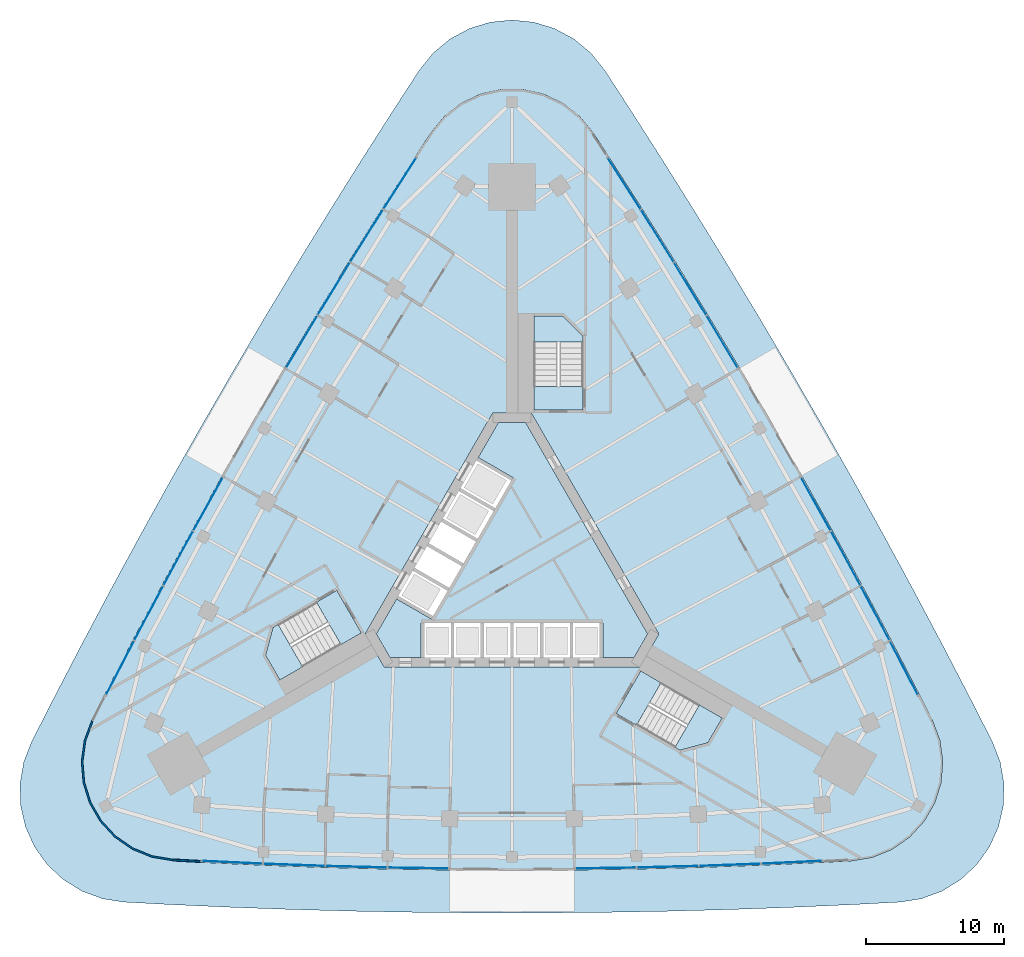
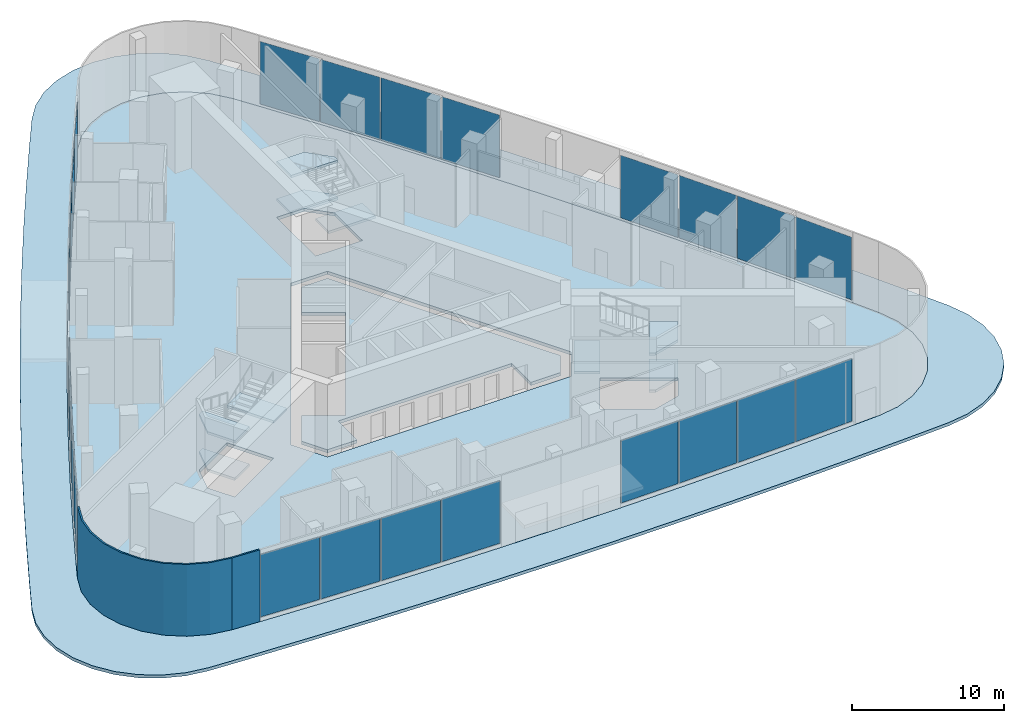
# One storey, part 5 of 14: 24 plates, 12 slabs, 2 walls, 9 elements without a shape of their own.
"""IFC4 building model written with IfcOpenShell, lengths in metres."""

from ifc_helpers import new_model, si_unit, direction, frame, frame_2d, origin, origin_2d, place, context, subcontext, project, spatial, polyline, rectangle, outline, extrude, material, layer, layer_set, type_object, element, aggregate, save


model = new_model("IFC4")

# Units and contexts
model_context = context("Model", 3, precision=1e-05, world=origin(), true_north=direction((0.0, 1.0)))
body_context = subcontext(model_context, "Body", "Model", "MODEL_VIEW")
ifc_project = project(units=[si_unit("LENGTHUNIT", "METRE"), si_unit("AREAUNIT", "SQUARE_METRE"), si_unit("VOLUMEUNIT", "CUBIC_METRE"), si_unit("PLANEANGLEUNIT", "RADIAN"), si_unit("MASSUNIT", "GRAM", prefix="KILO")], contexts=[model_context])

# Site, building, storey
site_placement = place(None, origin())
site = spatial("IfcSite", under=ifc_project, at=site_placement, CompositionType="ELEMENT")
building_placement = place(site_placement, origin())
building = spatial("IfcBuilding", under=site, at=building_placement, Name="Noor Cloister Tower", CompositionType="ELEMENT")
storey_placement = place(building_placement, origin())
storey = spatial("IfcBuildingStorey", under=building, at=storey_placement, Name="L00", CompositionType="ELEMENT", Elevation=0.0)

# Slab
ifc_material_1 = material(Name="Concrete C40/50", Category="concrete")
ifc_layer_1 = layer(ifc_material_1, 0.25)
ifc_layer_set_1 = layer_set([ifc_layer_1], Name="Core floor slab 250 C40/50")
slab_type_1 = type_object("IfcSlabType", Name="Core floor slab 250 C40/50", PredefinedType="FLOOR", material=ifc_layer_set_1)
slab_1_placement = place(storey_placement, frame((0.0, 0.0, -0.25)))
element("IfcSlab", 1, at=slab_1_placement, inside=storey, type_object=slab_type_1, Name="Core floor L00", PredefinedType="FLOOR", context=body_context, shape_type="SweptSolid", body=[
    extrude(outline(polyline([(-6.574951171875, -6.228271484375), (-6.574951171875, -3.728271484375), (6.574951171875, -3.728271484375), (6.574951171875, -6.228271484375), (8.82470703125, -6.228271484375), (9.80615234375, -4.5283203125), (0.9814453125, 10.75634765625), (-0.9814453125, 10.75634765625), (-2.44384765625, 8.2236328125), (0.067626953125, 6.773681640625), (-5.832275390625, -3.4453125), (-8.34375, -1.995361328125), (-9.80615234375, -4.5283203125), (-8.82470703125, -6.228271484375), (-6.574951171875, -6.228271484375)])), origin(), (0.0, 0.0, 1.0), 0.25),
])

# Curtain wall, plates
ifc_material_2 = material(Name="Aluminium 6063-T6 anodised", Category="aluminium")
curtain_wall_type = type_object("IfcCurtainWallType", Name="Station shopfront CW4", PredefinedType="NOTDEFINED", material=ifc_material_2)
curtain_wall_1_placement = place(storey_placement, origin())
curtain_wall_1 = element("IfcCurtainWall", 2, at=curtain_wall_1_placement, inside=storey, type_object=curtain_wall_type, Name="CW4 L00 NW shopfront 1", PredefinedType="NOTDEFINED")
ifc_material_3 = material(Name="Clear laminated glass 2 x 8 mm", Category="glass")
ifc_layer_2 = layer(ifc_material_3, 0.028076171875)
ifc_layer_set_2 = layer_set([ifc_layer_2], Name="Glass panel CW4")
plate_type = type_object("IfcPlateType", Name="Glass panel CW4", PredefinedType="CURTAIN_PANEL", material=ifc_layer_set_2)
plate_1_placement = place(storey_placement, frame((-8.110107421875, 28.022705078125, 0.2900390625), z_axis=(0.0, 0.0, 1.0), x_axis=(-0.539472546245, -0.842003189927, 0.0)))
plate_1 = element("IfcPlate", 3, at=plate_1_placement, type_object=plate_type, Name="CW4 glass panel 1", PredefinedType="CURTAIN_PANEL", context=body_context, shape_type="SweptSolid", body=[
    extrude(rectangle(XDim=4.369384765625, YDim=0.028076171875, at=origin_2d()), origin(), (0.0, 0.0, 1.0), 5.02001953125),
])
plate_2_placement = place(storey_placement, frame((-10.50439453125, 24.242919921875, 0.2900390625), z_axis=(0.0, 0.0, 1.0), x_axis=(-0.530797477241, -0.847498695076, 0.0)))
plate_2 = element("IfcPlate", 4, at=plate_2_placement, type_object=plate_type, Name="CW4 glass panel 2", PredefinedType="CURTAIN_PANEL", context=body_context, shape_type="SweptSolid", body=[
    extrude(rectangle(XDim=4.4189453125, YDim=0.028076171875, at=origin_2d()), origin(), (0.0, 0.0, 1.0), 5.02001953125),
])
plate_3_placement = place(storey_placement, frame((-12.872802734375, 20.41796875, 0.2900390625), z_axis=(0.0, 0.0, 1.0), x_axis=(-0.522066431715, -0.852904825216, 0.0)))
plate_3 = element("IfcPlate", 5, at=plate_3_placement, type_object=plate_type, Name="CW4 glass panel 3", PredefinedType="CURTAIN_PANEL", context=body_context, shape_type="SweptSolid", body=[
    extrude(rectangle(XDim=4.4189453125, YDim=0.028076171875, at=origin_2d()), origin(), (0.0, 0.0, 1.0), 5.02001953125),
])
plate_4_placement = place(storey_placement, frame((-15.18896484375, 16.590087890625, 0.2900390625), z_axis=(0.0, 0.0, 1.0), x_axis=(-0.5132803454, -0.858221001273, 0.0)))
plate_4 = element("IfcPlate", 6, at=plate_4_placement, type_object=plate_type, Name="CW4 glass panel 4", PredefinedType="CURTAIN_PANEL", context=body_context, shape_type="SweptSolid", body=[
    extrude(rectangle(XDim=4.369384765625, YDim=0.028076171875, at=origin_2d()), origin(), (0.0, 0.0, 1.0), 5.02001953125),
])
aggregate(curtain_wall_1, [plate_1, plate_2, plate_3, plate_4])

curtain_wall_2_placement = place(storey_placement, origin())
curtain_wall_2 = element("IfcCurtainWall", 7, at=curtain_wall_2_placement, inside=storey, type_object=curtain_wall_type, Name="CW4 L00 NW shopfront 2", PredefinedType="NOTDEFINED")
plate_5_placement = place(storey_placement, frame((-21.9619140625, 4.859130859375, 0.2900390625), z_axis=(0.0, 0.0, 1.0), x_axis=(-0.486601016464, -0.873624319016, 0.0)))
plate_5 = element("IfcPlate", 8, at=plate_5_placement, type_object=plate_type, Name="CW4 glass panel 1", PredefinedType="CURTAIN_PANEL", context=body_context, shape_type="SweptSolid", body=[
    extrude(rectangle(XDim=4.369384765625, YDim=0.028076171875, at=origin_2d()), origin(), (0.0, 0.0, 1.0), 5.02001953125),
])
plate_6_placement = place(storey_placement, frame((-24.118896484375, 0.939208984375, 0.2900390625), z_axis=(0.0, 0.0, 1.0), x_axis=(-0.47760402979, -0.878575204936, 0.0)))
plate_6 = element("IfcPlate", 9, at=plate_6_placement, type_object=plate_type, Name="CW4 glass panel 2", PredefinedType="CURTAIN_PANEL", context=body_context, shape_type="SweptSolid", body=[
    extrude(rectangle(XDim=4.4189453125, YDim=0.028076171875, at=origin_2d()), origin(), (0.0, 0.0, 1.0), 5.02001953125),
])
plate_7_placement = place(storey_placement, frame((-26.247314453125, -3.0244140625, 0.2900390625), z_axis=(0.0, 0.0, 1.0), x_axis=(-0.468556660989, -0.883433447093, 0.0)))
plate_7 = element("IfcPlate", 10, at=plate_7_placement, type_object=plate_type, Name="CW4 glass panel 3", PredefinedType="CURTAIN_PANEL", context=body_context, shape_type="SweptSolid", body=[
    extrude(rectangle(XDim=4.4189453125, YDim=0.028076171875, at=origin_2d()), origin(), (0.0, 0.0, 1.0), 5.02001953125),
])
plate_8_placement = place(storey_placement, frame((-28.323486328125, -6.98779296875, 0.2900390625), z_axis=(0.0, 0.0, 1.0), x_axis=(-0.459459879422, -0.888198524656, 0.0)))
plate_8 = element("IfcPlate", 11, at=plate_8_placement, type_object=plate_type, Name="CW4 glass panel 4", PredefinedType="CURTAIN_PANEL", context=body_context, shape_type="SweptSolid", body=[
    extrude(rectangle(XDim=4.369384765625, YDim=0.028076171875, at=origin_2d()), origin(), (0.0, 0.0, 1.0), 5.02001953125),
])
aggregate(curtain_wall_2, [plate_5, plate_6, plate_7, plate_8])

curtain_wall_3_placement = place(storey_placement, origin())
curtain_wall_3 = element("IfcCurtainWall", 12, at=curtain_wall_3_placement, inside=storey, type_object=curtain_wall_type, Name="CW4 L00 S shopfront 5", PredefinedType="NOTDEFINED")
plate_9_placement = place(storey_placement, frame((-20.213134765625, -21.034912109375, 0.2900390625), z_axis=(0.0, 0.0, 1.0), x_axis=(0.998932425667, -0.046195334729, 0.0)))
plate_9 = element("IfcPlate", 13, at=plate_9_placement, type_object=plate_type, Name="CW4 glass panel 1", PredefinedType="CURTAIN_PANEL", context=body_context, shape_type="SweptSolid", body=[
    extrude(rectangle(XDim=4.369384765625, YDim=0.028076171875, at=origin_2d()), origin(), (0.0, 0.0, 1.0), 5.02001953125),
])
plate_10_placement = place(storey_placement, frame((-15.742919921875, -21.218505859375, 0.2900390625), z_axis=(0.0, 0.0, 1.0), x_axis=(0.99935413823, -0.035934752017, 0.0)))
plate_10 = element("IfcPlate", 14, at=plate_10_placement, type_object=plate_type, Name="CW4 glass panel 2", PredefinedType="CURTAIN_PANEL", context=body_context, shape_type="SweptSolid", body=[
    extrude(rectangle(XDim=4.4189453125, YDim=0.028076171875, at=origin_2d()), origin(), (0.0, 0.0, 1.0), 5.02001953125),
])
plate_11_placement = place(storey_placement, frame((-11.24609375, -21.357177734375, 0.2900390625), z_axis=(0.0, 0.0, 1.0), x_axis=(0.999670461505, -0.02567037972, 0.0)))
plate_11 = element("IfcPlate", 15, at=plate_11_placement, type_object=plate_type, Name="CW4 glass panel 3", PredefinedType="CURTAIN_PANEL", context=body_context, shape_type="SweptSolid", body=[
    extrude(rectangle(XDim=4.4189453125, YDim=0.028076171875, at=origin_2d()), origin(), (0.0, 0.0, 1.0), 5.02001953125),
])
plate_12_placement = place(storey_placement, frame((-6.77294921875, -21.44921875, 0.2900390625), z_axis=(0.0, 0.0, 1.0), x_axis=(0.999881361864, -0.015403317743, 0.0)))
plate_12 = element("IfcPlate", 16, at=plate_12_placement, type_object=plate_type, Name="CW4 glass panel 4", PredefinedType="CURTAIN_PANEL", context=body_context, shape_type="SweptSolid", body=[
    extrude(rectangle(XDim=4.369384765625, YDim=0.028076171875, at=origin_2d()), origin(), (0.0, 0.0, 1.0), 5.02001953125),
])
aggregate(curtain_wall_3, [plate_9, plate_10, plate_11, plate_12])

curtain_wall_4_placement = place(storey_placement, origin())
curtain_wall_4 = element("IfcCurtainWall", 17, at=curtain_wall_4_placement, inside=storey, type_object=curtain_wall_type, Name="CW4 L00 S shopfront 6", PredefinedType="NOTDEFINED")
plate_13_placement = place(storey_placement, frame((6.77294921875, -21.44921875, 0.2900390625), z_axis=(0.0, 0.0, 1.0), x_axis=(0.999881361864, 0.015403317743, 0.0)))
plate_13 = element("IfcPlate", 18, at=plate_13_placement, type_object=plate_type, Name="CW4 glass panel 1", PredefinedType="CURTAIN_PANEL", context=body_context, shape_type="SweptSolid", body=[
    extrude(rectangle(XDim=4.369384765625, YDim=0.028076171875, at=origin_2d()), origin(), (0.0, 0.0, 1.0), 5.02001953125),
])
plate_14_placement = place(storey_placement, frame((11.24609375, -21.357177734375, 0.2900390625), z_axis=(0.0, 0.0, 1.0), x_axis=(0.999670461505, 0.02567037972, 0.0)))
plate_14 = element("IfcPlate", 19, at=plate_14_placement, type_object=plate_type, Name="CW4 glass panel 2", PredefinedType="CURTAIN_PANEL", context=body_context, shape_type="SweptSolid", body=[
    extrude(rectangle(XDim=4.4189453125, YDim=0.028076171875, at=origin_2d()), origin(), (0.0, 0.0, 1.0), 5.02001953125),
])
plate_15_placement = place(storey_placement, frame((15.742919921875, -21.218505859375, 0.2900390625), z_axis=(0.0, 0.0, 1.0), x_axis=(0.99935413823, 0.035934752017, 0.0)))
plate_15 = element("IfcPlate", 20, at=plate_15_placement, type_object=plate_type, Name="CW4 glass panel 3", PredefinedType="CURTAIN_PANEL", context=body_context, shape_type="SweptSolid", body=[
    extrude(rectangle(XDim=4.4189453125, YDim=0.028076171875, at=origin_2d()), origin(), (0.0, 0.0, 1.0), 5.02001953125),
])
plate_16_placement = place(storey_placement, frame((20.213134765625, -21.034912109375, 0.2900390625), z_axis=(0.0, 0.0, 1.0), x_axis=(0.998932425667, 0.046195334729, 0.0)))
plate_16 = element("IfcPlate", 21, at=plate_16_placement, type_object=plate_type, Name="CW4 glass panel 4", PredefinedType="CURTAIN_PANEL", context=body_context, shape_type="SweptSolid", body=[
    extrude(rectangle(XDim=4.369384765625, YDim=0.028076171875, at=origin_2d()), origin(), (0.0, 0.0, 1.0), 5.02001953125),
])
aggregate(curtain_wall_4, [plate_13, plate_14, plate_15, plate_16])

curtain_wall_5_placement = place(storey_placement, origin())
curtain_wall_5 = element("IfcCurtainWall", 22, at=curtain_wall_5_placement, inside=storey, type_object=curtain_wall_type, Name="CW4 L00 NE shopfront 9", PredefinedType="NOTDEFINED")
plate_17_placement = place(storey_placement, frame((28.323486328125, -6.98779296875, 0.2900390625), z_axis=(0.0, 0.0, 1.0), x_axis=(-0.459459879422, 0.888198524656, 0.0)))
plate_17 = element("IfcPlate", 23, at=plate_17_placement, type_object=plate_type, Name="CW4 glass panel 1", PredefinedType="CURTAIN_PANEL", context=body_context, shape_type="SweptSolid", body=[
    extrude(rectangle(XDim=4.369384765625, YDim=0.028076171875, at=origin_2d()), origin(), (0.0, 0.0, 1.0), 5.02001953125),
])
plate_18_placement = place(storey_placement, frame((26.247314453125, -3.0244140625, 0.2900390625), z_axis=(0.0, 0.0, 1.0), x_axis=(-0.468556660989, 0.883433447093, 0.0)))
plate_18 = element("IfcPlate", 24, at=plate_18_placement, type_object=plate_type, Name="CW4 glass panel 2", PredefinedType="CURTAIN_PANEL", context=body_context, shape_type="SweptSolid", body=[
    extrude(rectangle(XDim=4.4189453125, YDim=0.028076171875, at=origin_2d()), origin(), (0.0, 0.0, 1.0), 5.02001953125),
])
plate_19_placement = place(storey_placement, frame((24.118896484375, 0.939208984375, 0.2900390625), z_axis=(0.0, 0.0, 1.0), x_axis=(-0.47760402979, 0.878575204936, 0.0)))
plate_19 = element("IfcPlate", 25, at=plate_19_placement, type_object=plate_type, Name="CW4 glass panel 3", PredefinedType="CURTAIN_PANEL", context=body_context, shape_type="SweptSolid", body=[
    extrude(rectangle(XDim=4.4189453125, YDim=0.028076171875, at=origin_2d()), origin(), (0.0, 0.0, 1.0), 5.02001953125),
])
plate_20_placement = place(storey_placement, frame((21.9619140625, 4.859130859375, 0.2900390625), z_axis=(0.0, 0.0, 1.0), x_axis=(-0.486601016464, 0.873624319016, 0.0)))
plate_20 = element("IfcPlate", 26, at=plate_20_placement, type_object=plate_type, Name="CW4 glass panel 4", PredefinedType="CURTAIN_PANEL", context=body_context, shape_type="SweptSolid", body=[
    extrude(rectangle(XDim=4.369384765625, YDim=0.028076171875, at=origin_2d()), origin(), (0.0, 0.0, 1.0), 5.02001953125),
])
aggregate(curtain_wall_5, [plate_17, plate_18, plate_19, plate_20])

curtain_wall_6_placement = place(storey_placement, origin())
curtain_wall_6 = element("IfcCurtainWall", 27, at=curtain_wall_6_placement, inside=storey, type_object=curtain_wall_type, Name="CW4 L00 NE shopfront 10", PredefinedType="NOTDEFINED")
plate_21_placement = place(storey_placement, frame((15.18896484375, 16.590087890625, 0.2900390625), z_axis=(0.0, 0.0, 1.0), x_axis=(-0.5132803454, 0.858221001273, 0.0)))
plate_21 = element("IfcPlate", 28, at=plate_21_placement, type_object=plate_type, Name="CW4 glass panel 1", PredefinedType="CURTAIN_PANEL", context=body_context, shape_type="SweptSolid", body=[
    extrude(rectangle(XDim=4.369384765625, YDim=0.028076171875, at=origin_2d()), origin(), (0.0, 0.0, 1.0), 5.02001953125),
])
plate_22_placement = place(storey_placement, frame((12.872802734375, 20.41796875, 0.2900390625), z_axis=(0.0, 0.0, 1.0), x_axis=(-0.522066431715, 0.852904825216, 0.0)))
plate_22 = element("IfcPlate", 29, at=plate_22_placement, type_object=plate_type, Name="CW4 glass panel 2", PredefinedType="CURTAIN_PANEL", context=body_context, shape_type="SweptSolid", body=[
    extrude(rectangle(XDim=4.4189453125, YDim=0.028076171875, at=origin_2d()), origin(), (0.0, 0.0, 1.0), 5.02001953125),
])
plate_23_placement = place(storey_placement, frame((10.50439453125, 24.242919921875, 0.2900390625), z_axis=(0.0, 0.0, 1.0), x_axis=(-0.530797477241, 0.847498695076, 0.0)))
plate_23 = element("IfcPlate", 30, at=plate_23_placement, type_object=plate_type, Name="CW4 glass panel 3", PredefinedType="CURTAIN_PANEL", context=body_context, shape_type="SweptSolid", body=[
    extrude(rectangle(XDim=4.4189453125, YDim=0.028076171875, at=origin_2d()), origin(), (0.0, 0.0, 1.0), 5.02001953125),
])
plate_24_placement = place(storey_placement, frame((8.110107421875, 28.022705078125, 0.2900390625), z_axis=(0.0, 0.0, 1.0), x_axis=(-0.539472546245, 0.842003189927, 0.0)))
plate_24 = element("IfcPlate", 31, at=plate_24_placement, type_object=plate_type, Name="CW4 glass panel 4", PredefinedType="CURTAIN_PANEL", context=body_context, shape_type="SweptSolid", body=[
    extrude(rectangle(XDim=4.369384765625, YDim=0.028076171875, at=origin_2d()), origin(), (0.0, 0.0, 1.0), 5.02001953125),
])
aggregate(curtain_wall_6, [plate_21, plate_22, plate_23, plate_24])

# Slabs
ifc_material_4 = material(Name="Concrete C40/50", Category="concrete")
ifc_layer_3 = layer(ifc_material_4, 0.25)
ifc_layer_set_3 = layer_set([ifc_layer_3], Name="Plaza deck slab 250")
slab_type_2 = type_object("IfcSlabType", Name="Plaza deck slab 250", PredefinedType="FLOOR", material=ifc_layer_set_3)
slab_2_placement = place(storey_placement, frame((0.0, 0.0, -0.25)))
element("IfcSlab", 32, at=slab_2_placement, inside=storey, type_object=slab_type_2, Name="Plaza deck slab", PredefinedType="FLOOR", context=body_context, shape_type="SweptSolid", body=[
    extrude(outline(polyline([(6.693603515625, 36.22509765625), (5.699462890625, 37.45751953125), (4.482177734375, 38.469970703125), (3.08935546875, 39.222900390625), (1.57568359375, 39.686767578125), (0.0, 39.843505859375), (-1.57568359375, 39.686767578125), (-3.08935546875, 39.222900390625), (-4.482177734375, 38.469970703125), (-5.699462890625, 37.45751953125), (-6.693603515625, 36.22509765625), (-8.486083984375, 33.466796875), (-10.908935546875, 29.674560546875), (-13.29736328125, 25.86083984375), (-15.651611328125, 22.02587890625), (-17.971435546875, 18.169677734375), (-20.25634765625, 14.29296875), (-22.50634765625, 10.39599609375), (-24.72119140625, 6.478759765625), (-26.900634765625, 2.541748046875), (-29.044921875, -1.41455078125), (-31.1533203125, -5.389892578125), (-33.22607421875, -9.384033203125), (-34.718505859375, -12.315673828125), (-35.288818359375, -13.792724609375), (-35.55712890625, -15.353271484375), (-35.5126953125, -16.93603515625), (-35.15771484375, -18.47900390625), (-34.505615234375, -19.921875), (-33.58203125, -21.2080078125), (-32.42333984375, -22.287109375), (-31.074951171875, -23.11669921875), (-29.58935546875, -23.66455078125), (-28.02490234375, -23.9091796875), (-24.739990234375, -24.08251953125), (-20.244384765625, -24.28466796875), (-15.747314453125, -24.4462890625), (-11.2490234375, -24.567626953125), (-6.749755859375, -24.6484375), (-2.25, -24.68896484375), (2.25, -24.68896484375), (6.749755859375, -24.6484375), (11.2490234375, -24.567626953125), (15.747314453125, -24.4462890625), (20.244384765625, -24.28466796875), (24.739990234375, -24.08251953125), (28.02490234375, -23.9091796875), (29.58935546875, -23.66455078125), (31.074951171875, -23.11669921875), (32.42333984375, -22.287109375), (33.58203125, -21.2080078125), (34.505615234375, -19.921875), (35.15771484375, -18.47900390625), (35.5126953125, -16.93603515625), (35.55712890625, -15.353271484375), (35.288818359375, -13.792724609375), (34.718505859375, -12.315673828125), (33.22607421875, -9.384033203125), (31.1533203125, -5.389892578125), (29.044921875, -1.41455078125), (26.900634765625, 2.541748046875), (24.72119140625, 6.478759765625), (22.50634765625, 10.39599609375), (20.25634765625, 14.29296875), (17.971435546875, 18.169677734375), (15.651611328125, 22.02587890625), (13.29736328125, 25.86083984375), (10.908935546875, 29.674560546875), (8.486083984375, 33.466796875), (6.693603515625, 36.22509765625)]), holes=[polyline([(5.85693359375, 31.69677734375), (4.877685546875, 32.884033203125), (3.662841796875, 33.828369140625), (2.27099609375, 34.484619140625), (0.769287109375, 34.82080078125), (-0.769287109375, 34.82080078125), (-2.27099609375, 34.484619140625), (-3.662841796875, 33.828369140625), (-4.877685546875, 32.884033203125), (-5.85693359375, 31.69677734375), (-6.96728515625, 29.991943359375), (-9.394775390625, 26.202880859375), (-11.783447265625, 22.38916015625), (-14.1328125, 18.551025390625), (-16.4423828125, 14.689208984375), (-18.71240234375, 10.8037109375), (-20.9423828125, 6.89501953125), (-23.132080078125, 2.963623046875), (-25.28125, -0.98974609375), (-27.389892578125, -4.96533203125), (-29.457275390625, -8.962158203125), (-30.378662109375, -10.7763671875), (-30.917236328125, -12.2177734375), (-31.127685546875, -13.7421875), (-31.0, -15.275634765625), (-30.540283203125, -16.744140625), (-29.77099609375, -18.07666015625), (-28.72900390625, -19.208984375), (-27.46484375, -20.086181640625), (-26.03955078125, -20.666259765625), (-24.52197265625, -20.920654296875), (-22.490234375, -21.02978515625), (-17.994873046875, -21.237548828125), (-13.497802734375, -21.3994140625), (-8.999267578125, -21.514892578125), (-4.5, -21.584228515625), (0.0, -21.607177734375), (4.5, -21.584228515625), (8.999267578125, -21.514892578125), (13.497802734375, -21.3994140625), (17.994873046875, -21.237548828125), (22.490234375, -21.02978515625), (24.52197265625, -20.920654296875), (26.03955078125, -20.666259765625), (27.46484375, -20.086181640625), (28.72900390625, -19.208984375), (29.77099609375, -18.07666015625), (30.540283203125, -16.744140625), (31.0, -15.275634765625), (31.127685546875, -13.7421875), (30.917236328125, -12.2177734375), (30.378662109375, -10.7763671875), (29.457275390625, -8.962158203125), (27.389892578125, -4.96533203125), (25.28125, -0.98974609375), (23.132080078125, 2.963623046875), (20.9423828125, 6.89501953125), (18.71240234375, 10.8037109375), (16.4423828125, 14.689208984375), (14.1328125, 18.551025390625), (11.783447265625, 22.38916015625), (9.394775390625, 26.202880859375), (6.96728515625, 29.991943359375), (5.85693359375, 31.69677734375)])]), origin(), (0.0, 0.0, 1.0), 0.25),
])
ifc_material_5 = material(Name="Concrete C40/50", Category="concrete")
ifc_layer_4 = layer(ifc_material_5, 0.25)
ifc_layer_set_4 = layer_set([ifc_layer_4], Name="Podium floor slab 250")
slab_type_3 = type_object("IfcSlabType", Name="Podium floor slab 250", PredefinedType="FLOOR", material=ifc_layer_set_4)
slab_3_placement = place(storey_placement, frame((0.0, 0.0, -0.25)))
element("IfcSlab", 33, at=slab_3_placement, inside=storey, type_object=slab_type_3, Name="Floor slab L00", PredefinedType="FLOOR", context=body_context, shape_type="SweptSolid", body=[
    extrude(outline(polyline([(5.85693359375, 31.69677734375), (4.877685546875, 32.884033203125), (3.662841796875, 33.828369140625), (2.27099609375, 34.484619140625), (0.769287109375, 34.82080078125), (-0.769287109375, 34.82080078125), (-2.27099609375, 34.484619140625), (-3.662841796875, 33.828369140625), (-4.877685546875, 32.884033203125), (-5.85693359375, 31.69677734375), (-6.96728515625, 29.991943359375), (-9.394775390625, 26.202880859375), (-11.783447265625, 22.38916015625), (-14.1328125, 18.551025390625), (-16.4423828125, 14.689208984375), (-18.71240234375, 10.8037109375), (-20.9423828125, 6.89501953125), (-23.132080078125, 2.963623046875), (-25.28125, -0.98974609375), (-27.389892578125, -4.96533203125), (-29.457275390625, -8.962158203125), (-30.378662109375, -10.7763671875), (-30.917236328125, -12.2177734375), (-31.127685546875, -13.7421875), (-31.0, -15.275634765625), (-30.540283203125, -16.744140625), (-29.77099609375, -18.07666015625), (-28.72900390625, -19.208984375), (-27.46484375, -20.086181640625), (-26.03955078125, -20.666259765625), (-24.52197265625, -20.920654296875), (-22.490234375, -21.02978515625), (-17.994873046875, -21.237548828125), (-13.497802734375, -21.3994140625), (-8.999267578125, -21.514892578125), (-4.5, -21.584228515625), (0.0, -21.607177734375), (4.5, -21.584228515625), (8.999267578125, -21.514892578125), (13.497802734375, -21.3994140625), (17.994873046875, -21.237548828125), (22.490234375, -21.02978515625), (24.52197265625, -20.920654296875), (26.03955078125, -20.666259765625), (27.46484375, -20.086181640625), (28.72900390625, -19.208984375), (29.77099609375, -18.07666015625), (30.540283203125, -16.744140625), (31.0, -15.275634765625), (31.127685546875, -13.7421875), (30.917236328125, -12.2177734375), (30.378662109375, -10.7763671875), (29.457275390625, -8.962158203125), (27.389892578125, -4.96533203125), (25.28125, -0.98974609375), (23.132080078125, 2.963623046875), (20.9423828125, 6.89501953125), (18.71240234375, 10.8037109375), (16.4423828125, 14.689208984375), (14.1328125, 18.551025390625), (11.783447265625, 22.38916015625), (9.394775390625, 26.202880859375), (6.96728515625, 29.991943359375), (5.85693359375, 31.69677734375)]), holes=[polyline([(-9.228759765625, -6.92822265625), (9.228759765625, -6.92822265625), (10.6142578125, -4.5283203125), (1.3857421875, 11.456298828125), (-1.3857421875, 11.456298828125), (-10.6142578125, -4.5283203125), (-9.228759765625, -6.92822265625)]), polyline([(1.585693359375, 18.456298828125), (1.585693359375, 13.35693359375), (5.135498046875, 13.35693359375), (5.135498046875, 16.9736328125), (3.65283203125, 18.456298828125), (1.585693359375, 18.456298828125)]), polyline([(-16.776611328125, -7.85498046875), (-12.3603515625, -5.305419921875), (-14.13525390625, -2.23095703125), (-16.662841796875, -3.690185546875), (-17.267333984375, -4.039306640625), (-17.81005859375, -6.064697265625), (-16.776611328125, -7.85498046875)]), polyline([(12.131591796875, -12.934326171875), (14.1572265625, -12.3916015625), (15.19091796875, -10.601318359375), (10.774658203125, -8.0517578125), (8.999755859375, -11.126220703125), (12.131591796875, -12.934326171875)])]), origin(), (0.0, 0.0, 1.0), 0.25),
])

# Stair, slabs
ifc_material_6 = material(Name="Concrete C40/50", Category="concrete")
stair_type = type_object("IfcStairType", Name="Exit stair 36 risers", PredefinedType="HALF_TURN_STAIR", material=ifc_material_6)
stair_1_placement = place(storey_placement, origin())
stair_1 = element("IfcStair", 34, at=stair_1_placement, inside=storey, type_object=stair_type, Name="Exit stair ST1 L00", PredefinedType="HALF_TURN_STAIR")
ifc_material_7 = material(Name="Concrete C40/50", Category="concrete")
ifc_layer_5 = layer(ifc_material_7, 0.199951171875)
ifc_layer_set_5 = layer_set([ifc_layer_5], Name="Stair landing 200 C40/50")
slab_type_4 = type_object("IfcSlabType", Name="Stair landing 200 C40/50", PredefinedType="LANDING", material=ifc_layer_set_5)
slab_4_placement = place(storey_placement, frame((0.0, 0.0, 1.300048828125)))
slab_4 = element("IfcSlab", 35, at=slab_4_placement, type_object=slab_type_4, Name="ST1 landing 1", PredefinedType="LANDING", context=body_context, shape_type="SweptSolid", body=[
    extrude(outline(polyline([(5.135498046875, 16.555908203125), (5.135498046875, 16.9736328125), (3.65283203125, 18.456298828125), (1.585693359375, 18.456298828125), (1.585693359375, 16.555908203125), (5.135498046875, 16.555908203125)])), origin(), (0.0, 0.0, 1.0), 0.199951171875),
])
slab_5_placement = place(storey_placement, frame((0.0, 0.0, 2.800048828125)))
slab_5 = element("IfcSlab", 36, at=slab_5_placement, type_object=slab_type_4, Name="ST1 landing 2", PredefinedType="LANDING", context=body_context, shape_type="SweptSolid", body=[
    extrude(outline(polyline([(1.585693359375, 13.35693359375), (1.585693359375, 11.656494140625), (5.135498046875, 11.656494140625), (5.135498046875, 13.35693359375), (1.585693359375, 13.35693359375)])), origin(), (0.0, 0.0, 1.0), 0.199951171875),
])
slab_6_placement = place(storey_placement, frame((0.0, 0.0, 4.300048828125)))
slab_6 = element("IfcSlab", 37, at=slab_6_placement, type_object=slab_type_4, Name="ST1 landing 3", PredefinedType="LANDING", context=body_context, shape_type="SweptSolid", body=[
    extrude(outline(polyline([(5.135498046875, 16.555908203125), (5.135498046875, 16.9736328125), (3.65283203125, 18.456298828125), (1.585693359375, 18.456298828125), (1.585693359375, 16.555908203125), (5.135498046875, 16.555908203125)])), origin(), (0.0, 0.0, 1.0), 0.199951171875),
])
aggregate(stair_1, [slab_4, slab_5, slab_6])

stair_2_placement = place(storey_placement, origin())
stair_2 = element("IfcStair", 38, at=stair_2_placement, inside=storey, type_object=stair_type, Name="Exit stair ST2 L00", PredefinedType="HALF_TURN_STAIR")
slab_7_placement = place(storey_placement, frame((0.0, 0.0, 1.300048828125)))
slab_7 = element("IfcSlab", 39, at=slab_7_placement, type_object=slab_type_4, Name="ST2 landing 1", PredefinedType="LANDING", context=body_context, shape_type="SweptSolid", body=[
    extrude(outline(polyline([(-16.905517578125, -3.830322265625), (-17.267333984375, -4.039306640625), (-17.81005859375, -6.064697265625), (-16.776611328125, -7.85498046875), (-15.130615234375, -6.90478515625), (-16.905517578125, -3.830322265625)])), origin(), (0.0, 0.0, 1.0), 0.199951171875),
])
slab_8_placement = place(storey_placement, frame((0.0, 0.0, 2.800048828125)))
slab_8 = element("IfcSlab", 40, at=slab_8_placement, type_object=slab_type_4, Name="ST2 landing 2", PredefinedType="LANDING", context=body_context, shape_type="SweptSolid", body=[
    extrude(outline(polyline([(-12.3603515625, -5.305419921875), (-10.8876953125, -4.455078125), (-12.66259765625, -1.380615234375), (-14.13525390625, -2.23095703125), (-12.3603515625, -5.305419921875)])), origin(), (0.0, 0.0, 1.0), 0.199951171875),
])
slab_9_placement = place(storey_placement, frame((0.0, 0.0, 4.300048828125)))
slab_9 = element("IfcSlab", 41, at=slab_9_placement, type_object=slab_type_4, Name="ST2 landing 3", PredefinedType="LANDING", context=body_context, shape_type="SweptSolid", body=[
    extrude(outline(polyline([(-16.905517578125, -3.830322265625), (-17.267333984375, -4.039306640625), (-17.81005859375, -6.064697265625), (-16.776611328125, -7.85498046875), (-15.130615234375, -6.90478515625), (-16.905517578125, -3.830322265625)])), origin(), (0.0, 0.0, 1.0), 0.199951171875),
])
aggregate(stair_2, [slab_7, slab_8, slab_9])

stair_3_placement = place(storey_placement, origin())
stair_3 = element("IfcStair", 42, at=stair_3_placement, inside=storey, type_object=stair_type, Name="Exit stair ST3 L00", PredefinedType="HALF_TURN_STAIR")
slab_10_placement = place(storey_placement, frame((0.0, 0.0, 1.300048828125)))
slab_10 = element("IfcSlab", 43, at=slab_10_placement, type_object=slab_type_4, Name="ST3 landing 1", PredefinedType="LANDING", context=body_context, shape_type="SweptSolid", body=[
    extrude(outline(polyline([(11.77001953125, -12.7255859375), (12.131591796875, -12.934326171875), (14.1572265625, -12.3916015625), (15.19091796875, -10.601318359375), (13.544921875, -9.651123046875), (11.77001953125, -12.7255859375)])), origin(), (0.0, 0.0, 1.0), 0.199951171875),
])
slab_11_placement = place(storey_placement, frame((0.0, 0.0, 2.800048828125)))
slab_11 = element("IfcSlab", 44, at=slab_11_placement, type_object=slab_type_4, Name="ST3 landing 2", PredefinedType="LANDING", context=body_context, shape_type="SweptSolid", body=[
    extrude(outline(polyline([(10.774658203125, -8.0517578125), (9.302001953125, -7.201416015625), (7.52685546875, -10.27587890625), (8.999755859375, -11.126220703125), (10.774658203125, -8.0517578125)])), origin(), (0.0, 0.0, 1.0), 0.199951171875),
])
slab_12_placement = place(storey_placement, frame((0.0, 0.0, 4.300048828125)))
slab_12 = element("IfcSlab", 45, at=slab_12_placement, type_object=slab_type_4, Name="ST3 landing 3", PredefinedType="LANDING", context=body_context, shape_type="SweptSolid", body=[
    extrude(outline(polyline([(11.77001953125, -12.7255859375), (12.131591796875, -12.934326171875), (14.1572265625, -12.3916015625), (15.19091796875, -10.601318359375), (13.544921875, -9.651123046875), (11.77001953125, -12.7255859375)])), origin(), (0.0, 0.0, 1.0), 0.199951171875),
])
aggregate(stair_3, [slab_10, slab_11, slab_12])

# Walls
ifc_material_8 = material(Name="Limestone", Category="masonry")
ifc_layer_6 = layer(ifc_material_8, 0.1201171875)
ifc_layer_set_6 = layer_set([ifc_layer_6], Name="Limestone cladding 120")
wall_type = type_object("IfcWallType", Name="Limestone cladding 120", PredefinedType="NOTDEFINED", material=ifc_layer_set_6)
wall_1_placement = place(storey_placement, origin())
element("IfcWall", 46, at=wall_1_placement, inside=storey, type_object=wall_type, Name="Limestone corner cladding L00 1", PredefinedType="NOTDEFINED", context=body_context, shape_type="SweptSolid", body=[
    extrude(outline(polyline([(-30.378662109375, -10.7763671875), (-30.917236328125, -12.2177734375), (-31.127685546875, -13.7421875), (-31.0, -15.275634765625), (-30.540283203125, -16.744140625), (-29.77099609375, -18.07666015625), (-28.72900390625, -19.208984375), (-27.46484375, -20.086181640625), (-26.03955078125, -20.666259765625), (-24.52197265625, -20.920654296875), (-24.501953125, -20.80224609375), (-26.006591796875, -20.550048828125), (-27.4072265625, -19.980224609375), (-28.649658203125, -19.117919921875), (-29.673583984375, -18.005126953125), (-30.4296875, -16.695556640625), (-30.88134765625, -15.25244140625), (-31.0068359375, -13.745361328125), (-30.800048828125, -12.247314453125), (-30.266357421875, -10.818359375), (-30.378662109375, -10.7763671875)])), origin(), (0.0, 0.0, 1.0), 5.75),
])
wall_2_placement = place(storey_placement, frame((-22.489013671875, -20.9697265625, 0.0), z_axis=(0.0, 0.0, 1.0), x_axis=(-0.998561127478, 0.053625317623, 0.0)))
element("IfcWall", 47, at=wall_2_placement, inside=storey, type_object=wall_type, Name="Limestone pilaster wall L00 1.3", PredefinedType="NOTDEFINED", context=body_context, shape_type="SweptSolid", body=[
    extrude(rectangle(XDim=2.030517578125, YDim=0.1201171875, at=frame_2d((1.01513671875, 0.0))), origin(), (0.0, 0.0, 1.0), 5.75),
])

save(model, "model.ifc")
